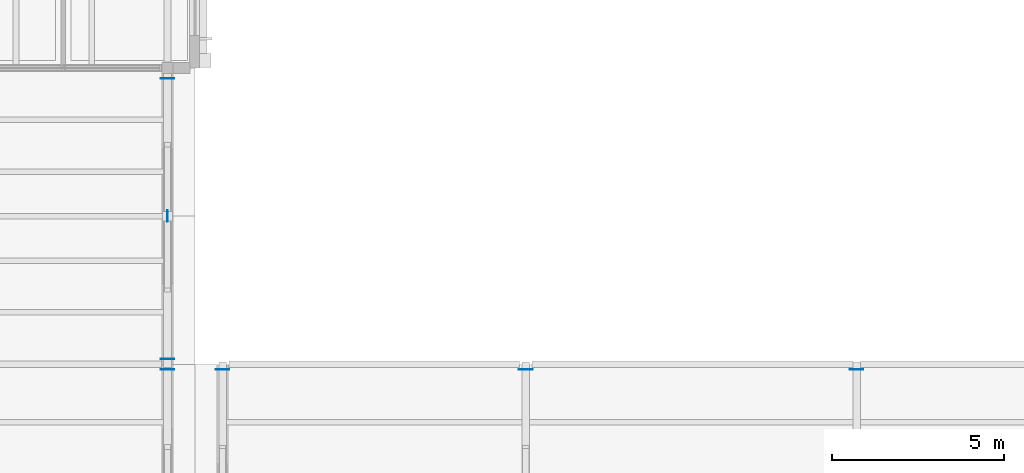
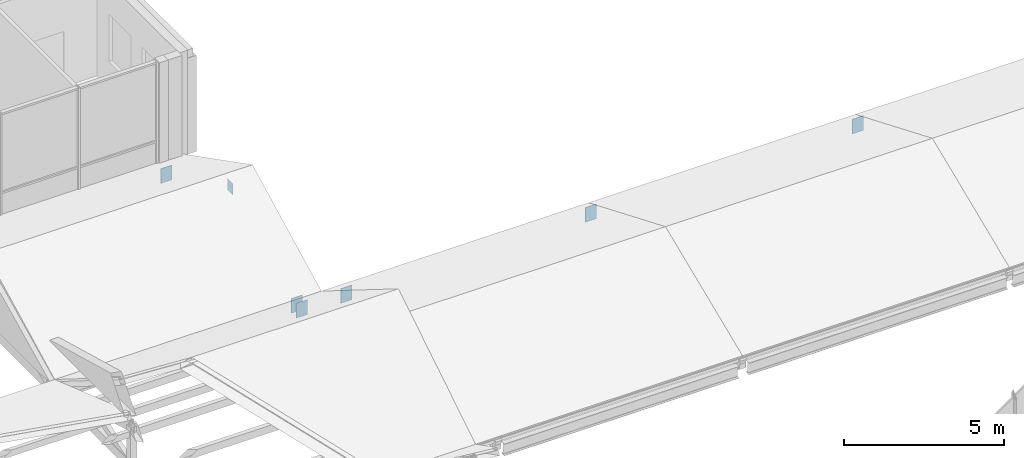
# One storey, part 79 of 115: 7 plates.
"""IFC4 building model written with IfcOpenShell, lengths in metres."""

import ifcopenshell
import ifcopenshell.guid

model = None  # the IFC model being written
_history = None  # IfcOwnerHistory: only IFC2X3 demands one
_inside = {}  # id of a spatial element -> (the spatial element, [elements in it])
_under = {}  # id of a project, library or spatial element -> (it, [spatial elements below it])
_declared = {}  # id of a project -> (the project, [libraries it declares])
_typed = {}  # id of a type object -> (the type object, [elements of that type])
_made_of = {}  # id of a material, layer set ... -> (it, [elements and type objects made of it])


def new_model(schema):
    """Start an empty IFC model of exactly this schema.

    Asked for "IFC4X3", IfcOpenShell would pick the latest addendum, in which some entities
    have other attributes; the version numbers below select the first issue.
    IFC2X3 requires an IfcOwnerHistory on every rooted entity: one is made here for all.
    """
    global model, _history
    if schema == "IFC4X3":
        model = ifcopenshell.file(schema_version=(4, 3, 0, 0))
    else:
        model = ifcopenshell.file(schema=schema)
    _inside.clear()
    _under.clear()
    _declared.clear()
    _typed.clear()
    _made_of.clear()
    _history = None
    if model.schema == "IFC2X3":
        org = make("IfcOrganization", Name="unknown")
        user = make(
            "IfcPersonAndOrganization",
            ThePerson=make("IfcPerson", FamilyName="unknown"),
            TheOrganization=org,
        )
        app = make(
            "IfcApplication",
            ApplicationDeveloper=org,
            Version="unknown",
            ApplicationFullName="unknown",
            ApplicationIdentifier="unknown",
        )
        _history = make(
            "IfcOwnerHistory",
            OwningUser=user,
            OwningApplication=app,
            ChangeAction="ADDED",
            CreationDate=0,
        )
    return model


def make(cls, **values):
    """One entity of the class cls with the attributes given. An attribute that is None is left unset."""
    return model.create_entity(
        cls, **{name: value for name, value in values.items() if value is not None}
    )


def rooted(cls, **values):
    """An entity with a GlobalId (a new one), such as an element, a storey or a relation."""
    return make(cls, GlobalId=ifcopenshell.guid.new(), OwnerHistory=_history, **values)


def si_unit(unit_type, name, prefix=None):
    """IfcSIUnit, for example si_unit("LENGTHUNIT", "METRE", prefix="MILLI")."""
    return make("IfcSIUnit", UnitType=unit_type, Prefix=prefix, Name=name)


def assignment(units):
    """IfcUnitAssignment: the units of a project."""
    return None if units is None else make("IfcUnitAssignment", Units=units)


def point(xyz):
    """IfcCartesianPoint."""
    return None if xyz is None else make("IfcCartesianPoint", Coordinates=xyz)


def direction(xyz):
    """IfcDirection."""
    return None if xyz is None else make("IfcDirection", DirectionRatios=xyz)


def frame(location, z_axis=None, x_axis=None):
    """IfcAxis2Placement3D, a coordinate frame: its origin and axes. An axis left out is left unset."""
    return make(
        "IfcAxis2Placement3D",
        Location=point(location),
        Axis=direction(z_axis),
        RefDirection=direction(x_axis),
    )


def frame_2d(location, x_axis=None):
    """IfcAxis2Placement2D, a coordinate frame in the plane: its origin and x axis."""
    return make(
        "IfcAxis2Placement2D", Location=point(location), RefDirection=direction(x_axis)
    )


def origin():
    """The frame at (0, 0, 0) with its axes left unset."""
    return frame((0.0, 0.0, 0.0))


def origin_2d():
    """The frame at (0, 0) in the plane with its x axis left unset."""
    return frame_2d((0.0, 0.0))


def place(relative_to, where):
    """IfcLocalPlacement: puts the frame where relative to a parent placement (None: the world)."""
    return make(
        "IfcLocalPlacement", PlacementRelTo=relative_to, RelativePlacement=where
    )


def context(
    kind, dimensions, precision=None, world=None, true_north=None, identifier=None
):
    """IfcGeometricRepresentationContext, for example the 3D "Model" context."""
    return make(
        "IfcGeometricRepresentationContext",
        ContextIdentifier=identifier,
        ContextType=kind,
        CoordinateSpaceDimension=dimensions,
        Precision=precision,
        WorldCoordinateSystem=world,
        TrueNorth=true_north,
    )


def subcontext(parent, identifier, kind, view, scale=None):
    """IfcGeometricRepresentationSubContext, for example "Body" below "Model"."""
    return make(
        "IfcGeometricRepresentationSubContext",
        ContextIdentifier=identifier,
        ContextType=kind,
        ParentContext=parent,
        TargetScale=scale,
        TargetView=view,
    )


def project(units=None, contexts=None):
    """IfcProject with its units and contexts."""
    return rooted(
        "IfcProject",
        Name="project",
        RepresentationContexts=contexts,
        UnitsInContext=assignment(units),
    )


def spatial(cls, under=None, at=None, **own):
    """A site, building, storey or space (cls), placed at a placement, below another one or the project."""
    s = rooted(cls, ObjectPlacement=at, **own)
    if under is not None:
        _under.setdefault(under.id(), (under, []))[1].append(s)
    return s


def profile(cls, at=None, kind="AREA", **sizes):
    """A parametric profile (cls). Its sizes go by their IFC names, for example OverallWidth=200.0."""
    return make(cls, ProfileType=kind, Position=at, **sizes)


def rectangle(**sizes):
    """IfcRectangleProfileDef."""
    return profile("IfcRectangleProfileDef", **sizes)


def extrude(swept, where, along, depth):
    """IfcExtrudedAreaSolid: the profile swept, set in the frame where, extruded along a direction by depth."""
    return make(
        "IfcExtrudedAreaSolid",
        SweptArea=swept,
        Position=where,
        ExtrudedDirection=direction(along),
        Depth=depth,
    )


def shape(context_of_items, identifier, shape_type, items):
    """IfcShapeRepresentation: the items that make up one representation, for example the "Body"."""
    return make(
        "IfcShapeRepresentation",
        ContextOfItems=context_of_items,
        RepresentationIdentifier=identifier,
        RepresentationType=shape_type,
        Items=items,
    )


def material(Name=None, Category=None):
    """IfcMaterial."""
    return make("IfcMaterial", Name=Name, Category=Category)


def layer(
    of_material, thickness, ventilated=None, Name=None, Category=None, Priority=None
):
    """IfcMaterialLayer: one layer of a wall or slab, of a material (None: an air gap)."""
    return make(
        "IfcMaterialLayer",
        Material=of_material,
        LayerThickness=thickness,
        IsVentilated=ventilated,
        Name=Name,
        Category=Category,
        Priority=Priority,
    )


def layer_set(layers, Name=None):
    """IfcMaterialLayerSet."""
    return make("IfcMaterialLayerSet", MaterialLayers=layers, LayerSetName=Name)


def made_of(thing, what):
    """Note that an element or type object is made of a material, layer set ...; save() writes the relation."""
    if what is not None:
        _made_of.setdefault(what.id(), (what, []))[1].append(thing)
    return thing


def type_object(cls, material=None, **own):
    """A type object (cls), such as IfcWallType, which elements share."""
    return made_of(rooted(cls, **own), material)


def element(
    cls,
    number,
    at=None,
    inside=None,
    cuts=None,
    type_object=None,
    material=None,
    context=None,
    identifier="Body",
    shape_type=None,
    held_by="IfcProductDefinitionShape",
    body=None,
    shapes=None,
    **own,
):
    """One element of the class cls, such as IfcWall. Its Tag is "e" and its number.

    at: its placement. inside: the storey or other place that contains it. cuts: it is an
    opening in that element (IfcRelVoidsElement). A single representation is given by context,
    identifier, shape_type and body (its items); several are given by shapes. held_by: the class
    of the entity that holds the representations. save() writes the other relations.
    """
    e = rooted(cls, Tag="e%d" % number, ObjectPlacement=at, **own)
    if body is not None:
        shapes = [shape(context, identifier, shape_type, body)]
    if shapes is not None:
        e.Representation = make(held_by, Representations=shapes)
    if inside is not None:
        _inside.setdefault(inside.id(), (inside, []))[1].append(e)
    if cuts is not None:
        rooted(
            "IfcRelVoidsElement", RelatingBuildingElement=cuts, RelatedOpeningElement=e
        )
    if type_object is not None:
        _typed.setdefault(type_object.id(), (type_object, []))[1].append(e)
    return made_of(e, material)


def aggregate(whole, parts):
    """IfcRelAggregates: a whole, such as a stair, and the parts it consists of."""
    return rooted("IfcRelAggregates", RelatingObject=whole, RelatedObjects=parts)


def save(model, path):
    """Write the relations noted so far, then the file.

    IfcRelAggregates (storeys below a building ...), IfcRelContainedInSpatialStructure (elements
    in a storey), IfcRelDefinesByType, IfcRelAssociatesMaterial and IfcRelDeclares: one each for
    every whole, place, type object, material and project.
    """
    for whole, parts in _under.values():
        aggregate(whole, parts)
    for where, things in _inside.values():
        rooted(
            "IfcRelContainedInSpatialStructure",
            RelatedElements=things,
            RelatingStructure=where,
        )
    for kind, things in _typed.values():
        rooted("IfcRelDefinesByType", RelatedObjects=things, RelatingType=kind)
    for what, things in _made_of.values():
        rooted("IfcRelAssociatesMaterial", RelatedObjects=things, RelatingMaterial=what)
    for by, libraries in _declared.values():
        rooted("IfcRelDeclares", RelatingContext=by, RelatedDefinitions=libraries)
    model.write(path)


model = new_model("IFC4")

# Units and contexts
model_context = context("Model", 3, precision=1e-05, world=origin(), true_north=direction((0.0, 1.0)))
body_context = subcontext(model_context, "Body", "Model", "MODEL_VIEW")
ifc_project = project(units=[si_unit("LENGTHUNIT", "METRE"), si_unit("AREAUNIT", "SQUARE_METRE"), si_unit("VOLUMEUNIT", "CUBIC_METRE"), si_unit("PLANEANGLEUNIT", "RADIAN"), si_unit("MASSUNIT", "GRAM", prefix="KILO")], contexts=[model_context])

# Site, building, storey
site_placement = place(None, origin())
site = spatial("IfcSite", under=ifc_project, at=site_placement, CompositionType="ELEMENT")
building_placement = place(site_placement, origin())
building = spatial("IfcBuilding", under=site, at=building_placement, Name="Hawrajan Terrace Health Centre", CompositionType="ELEMENT")
storey_placement = place(building_placement, frame((0.0, 0.0, 9.0)))
storey = spatial("IfcBuildingStorey", under=building, at=storey_placement, Name="L02", CompositionType="ELEMENT", Elevation=9.0)

# Plates
ifc_material = material(Name="Steel S355", Category="steel")
ifc_layer_1 = layer(ifc_material, 0.02001953125)
ifc_layer_set_1 = layer_set([ifc_layer_1], Name="Steel S355")
plate_type_1 = type_object("IfcPlateType", Name="HoldDownShoe_S355_20", PredefinedType="SHEET", material=ifc_layer_set_1)
for number, where, z_axis, x_axis, name in (
    (1, (71.0, 36.64990234375, -0.5), (0.0, 0.0, 1.0), (1.0, 0.0, 0.0), "Pinned uplift hold-down shoe W-G10-TRL-M-SHOE-N"),
    (2, (71.0, 36.949951171875, -0.5), (0.0, 0.0, 1.0), (1.0, 0.0, 0.0), "Pinned uplift hold-down shoe W-G10-TRL-NC-SHOE-S"),
    (3, (71.0, 45.090087890625, -0.5), (0.0, 0.0, 1.0), (1.0, 0.0, 0.0), "Pinned uplift hold-down shoe W-G10-TRL-NC-SHOE-N"),
    (4, (72.60009765625, 36.64990234375, -0.5), (0.0, 0.0, 1.0), (1.0, 0.0, 0.0), "Pinned uplift hold-down shoe C-G10-TRM-SHOE-N"),
    (5, (81.39990234375, 36.64990234375, -0.5), (0.0, 0.0, 1.0), (1.0, 0.0, 0.0), "Pinned uplift hold-down shoe C-G11-TRM-SHOE-N"),
    (6, (91.0, 36.64990234375, -0.5), (0.0, 0.0, 1.0), (1.0, 0.0, 0.0), "Pinned uplift hold-down shoe C-G12-TRM-SHOE-N"),
):
    element("IfcPlate", number, at=place(storey_placement, frame(where, z_axis=z_axis, x_axis=x_axis)), inside=storey, type_object=plate_type_1, Name=name, PredefinedType="SHEET", context=body_context, shape_type="SweptSolid", body=[
        extrude(rectangle(XDim=0.39990234375, YDim=0.02001953125, at=origin_2d()), origin(), (0.0, 0.0, 1.0), 0.56005859375),
    ])
ifc_layer_2 = layer(ifc_material, 0.011962890625)
ifc_layer_set_2 = layer_set([ifc_layer_2], Name="Steel S355")
plate_type_2 = type_object("IfcPlateType", Name="KnifePlate_S355_12", PredefinedType="SHEET", material=ifc_layer_set_2)
plate_placement = place(storey_placement, frame((71.0, 41.10009765625, 1.520751953125), z_axis=(0.0, 0.0, 1.0), x_axis=(1.0, 0.0, 0.0)))
element("IfcPlate", 7, at=plate_placement, inside=storey, type_object=plate_type_2, Name="Slotted steel apex knife plate W-G10-TRL-NC", PredefinedType="SHEET", context=body_context, shape_type="SweptSolid", body=[
    extrude(rectangle(XDim=0.011962890625, YDim=0.340087890625, at=origin_2d()), origin(), (0.0, 0.0, 1.0), 0.419921875),
])

save(model, "model.ifc")
